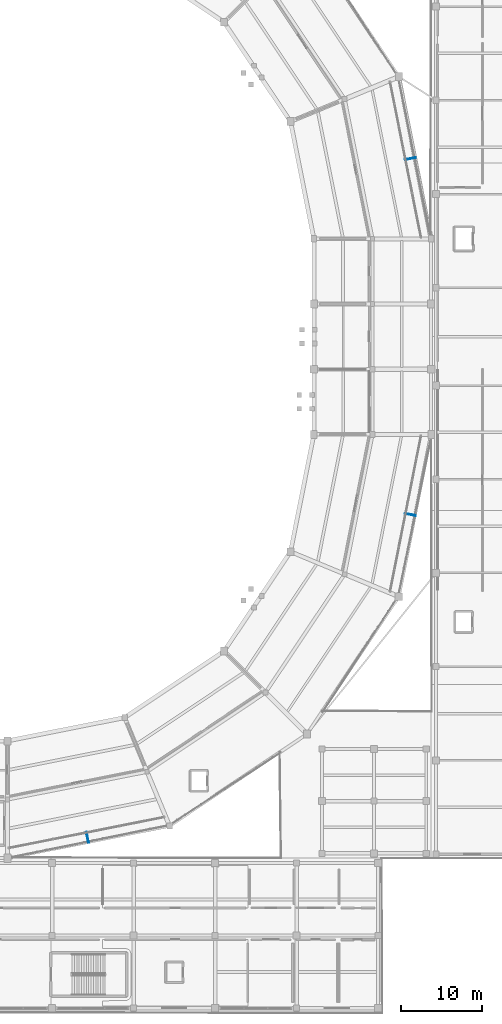
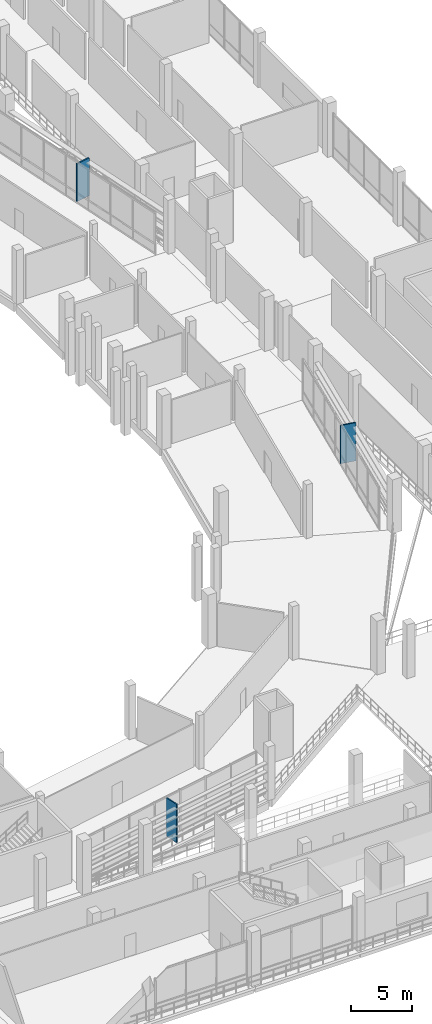
# One storey, part 89 of 114: 3 discrete accessories.
"""IFC4 building model written with IfcOpenShell, lengths in metres."""

from ifc_helpers import new_model, si_unit, direction, frame, origin, origin_2d, place, context, subcontext, project, spatial, rectangle, extrude, material, type_object, element, save


model = new_model("IFC4")

# Units and contexts
model_context = context("Model", 3, precision=1e-05, world=origin(), true_north=direction((0.0, 1.0)))
body_context = subcontext(model_context, "Body", "Model", "MODEL_VIEW")
ifc_project = project(units=[si_unit("LENGTHUNIT", "METRE"), si_unit("AREAUNIT", "SQUARE_METRE"), si_unit("VOLUMEUNIT", "CUBIC_METRE"), si_unit("PLANEANGLEUNIT", "RADIAN"), si_unit("MASSUNIT", "GRAM", prefix="KILO")], contexts=[model_context])

# Site, building, storey
site_placement = place(None, origin())
site = spatial("IfcSite", under=ifc_project, at=site_placement, CompositionType="ELEMENT")
building_placement = place(site_placement, origin())
building = spatial("IfcBuilding", under=site, at=building_placement, Name="Candeia Ridge Stadium", CompositionType="ELEMENT")
storey_placement = place(building_placement, frame((0.0, 0.0, 5.39990234375)))
storey = spatial("IfcBuildingStorey", under=building, at=storey_placement, Name="L01", CompositionType="ELEMENT", Elevation=5.39990234375)

# Discrete accessories
ifc_material = material(Name="Steel ASTM A572 Grade 50", Category="steel")
discrete_accessory_type = type_object("IfcDiscreteAccessoryType", Name="Solar Rib Outrigger Bracket BRK1", PredefinedType="BRACKET", material=ifc_material)
for number, where, z_axis, x_axis, name in (
    (1, (150.8349609375, 21.556396484375, 0.2001953125), (0.0, 0.0, 1.0), (0.19509022785, -0.980785299134, 0.0), "Solar rib steel outrigger bracket L01 bay 26"),
    (2, (190.443603515625, 61.1650390625, 0.2001953125), (0.0, 0.0, 1.0), (0.980785299134, -0.19509022785, 0.0), "Solar rib steel outrigger bracket L01 bay 29"),
):
    element("IfcDiscreteAccessory", number, at=place(storey_placement, frame(where, z_axis=z_axis, x_axis=x_axis)), inside=storey, type_object=discrete_accessory_type, Name=name, PredefinedType="BRACKET", context=body_context, shape_type="SweptSolid", body=[
        extrude(rectangle(XDim=1.35009765625, YDim=0.1201171875, at=origin_2d()), origin(), (0.0, 0.0, 1.0), 3.844970703125),
    ])
discrete_accessory_placement = place(storey_placement, frame((190.443603515625, 104.8349609375, 0.2001953125), z_axis=(0.0, 0.0, 1.0), x_axis=(0.980785299134, 0.19509022785, 0.0)))
element("IfcDiscreteAccessory", 3, at=discrete_accessory_placement, inside=storey, type_object=discrete_accessory_type, Name="Solar rib steel outrigger bracket L01 bay 33", PredefinedType="BRACKET", context=body_context, shape_type="SweptSolid", body=[
    extrude(rectangle(XDim=1.35009765625, YDim=0.1201171875, at=origin_2d()), origin(), (0.0, 0.0, 1.0), 3.804931640625),
])

save(model, "model.ifc")
